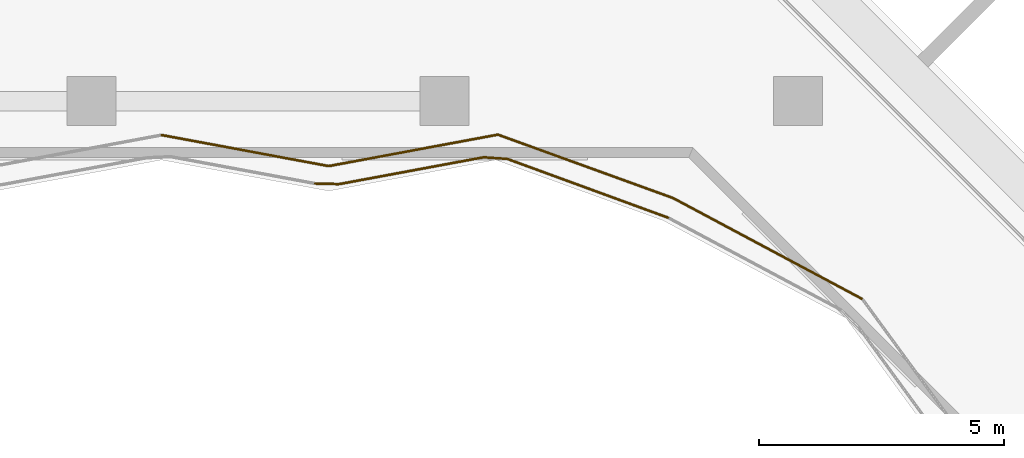
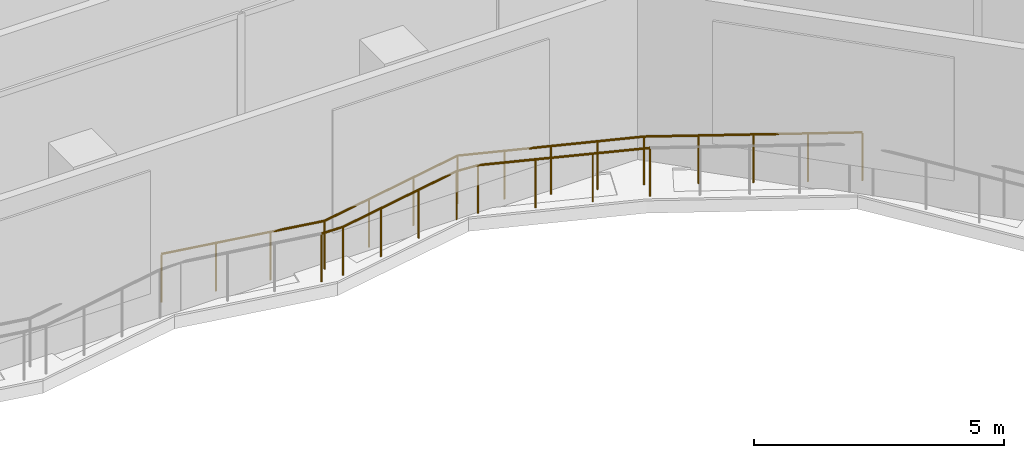
# One storey, part 17 of 23: 8 railings.
"""IFC4 building model written with IfcOpenShell, lengths in metres."""

from ifc_helpers import new_model, si_unit, direction, frame, origin, origin_2d, place, context, subcontext, project, spatial, circle, extrude, material, type_object, element, save


model = new_model("IFC4")

# Units and contexts
model_context = context("Model", 3, precision=1e-05, world=origin(), true_north=direction((0.0, 1.0)))
body_context = subcontext(model_context, "Body", "Model", "MODEL_VIEW")
ifc_project = project(units=[si_unit("LENGTHUNIT", "METRE"), si_unit("AREAUNIT", "SQUARE_METRE"), si_unit("VOLUMEUNIT", "CUBIC_METRE"), si_unit("PLANEANGLEUNIT", "RADIAN"), si_unit("MASSUNIT", "GRAM", prefix="KILO")], contexts=[model_context])

# Site, building, storey
site_placement = place(None, origin())
site = spatial("IfcSite", under=ifc_project, at=site_placement, CompositionType="ELEMENT")
building_placement = place(site_placement, origin())
building = spatial("IfcBuilding", under=site, at=building_placement, Name="Windrow Commons", CompositionType="ELEMENT")
storey_placement = place(building_placement, frame((0.0, 0.0, 122.0)))
storey = spatial("IfcBuildingStorey", under=building, at=storey_placement, Name="L33", CompositionType="ELEMENT", Elevation=122.0)

# Railings
ifc_material = material(Name="Stainless steel S316 balustrade with toughened glass infill", Category="steel")
railing_type = type_object("IfcRailingType", Name="Terrace guard 1200 podium", PredefinedType="BALUSTRADE", material=ifc_material)
railing_1_placement = place(storey_placement, frame((80.5145, 39.165, 0.05)))
element("IfcRailing", 1, at=railing_1_placement, inside=storey, type_object=railing_type, Name="Guard TR-L33-1.E3", PredefinedType="BALUSTRADE", context=body_context, shape_type="SweptSolid", body=[
    extrude(circle(Radius=0.025, at=origin_2d()), frame((0.0, 0.0, 1.175), z_axis=(-0.8822922124, 0.4707020841, 0.0), x_axis=(-0.4707020841, -0.8822922124, 0.0)), (0.0, 0.0, 1.0), 4.3764),
    extrude(circle(Radius=0.02, at=origin_2d()), origin(), (0.0, 0.0, 1.0), 1.15),
    extrude(circle(Radius=0.02, at=origin_2d()), frame((-0.9653, 0.515, 0.0)), (0.0, 0.0, 1.0), 1.15),
    extrude(circle(Radius=0.02, at=origin_2d()), frame((-1.9306, 1.03, 0.0)), (0.0, 0.0, 1.0), 1.15),
    extrude(circle(Radius=0.02, at=origin_2d()), frame((-2.896, 1.545, 0.0)), (0.0, 0.0, 1.0), 1.15),
    extrude(circle(Radius=0.02, at=origin_2d()), frame((-3.8613, 2.06, 0.0)), (0.0, 0.0, 1.0), 1.15),
])
railing_2_placement = place(storey_placement, frame((76.6532, 41.225, 0.05)))
element("IfcRailing", 2, at=railing_2_placement, inside=storey, type_object=railing_type, Name="Guard TR-L33-1.E4", PredefinedType="BALUSTRADE", context=body_context, shape_type="SweptSolid", body=[
    extrude(circle(Radius=0.025, at=origin_2d()), frame((0.0, 0.0, 1.175), z_axis=(-0.9402956655, 0.3403587248, 0.0), x_axis=(-0.3403587248, -0.9402956655, 0.0)), (0.0, 0.0, 1.0), 3.7942),
    extrude(circle(Radius=0.02, at=origin_2d()), origin(), (0.0, 0.0, 1.0), 1.15),
    extrude(circle(Radius=0.02, at=origin_2d()), frame((-0.8919, 0.3228, 0.0)), (0.0, 0.0, 1.0), 1.15),
    extrude(circle(Radius=0.02, at=origin_2d()), frame((-1.7839, 0.6457, 0.0)), (0.0, 0.0, 1.0), 1.15),
    extrude(circle(Radius=0.02, at=origin_2d()), frame((-2.6758, 0.9685, 0.0)), (0.0, 0.0, 1.0), 1.15),
    extrude(circle(Radius=0.02, at=origin_2d()), frame((-3.5677, 1.2914, 0.0)), (0.0, 0.0, 1.0), 1.15),
])
railing_3_placement = place(storey_placement, frame((73.0855, 42.5164, 0.05)))
element("IfcRailing", 3, at=railing_3_placement, inside=storey, type_object=railing_type, Name="Guard TR-L33-1.E5", PredefinedType="BALUSTRADE", context=body_context, shape_type="SweptSolid", body=[
    extrude(circle(Radius=0.025, at=origin_2d()), frame((0.0, 0.0, 1.175), z_axis=(-0.9831691345, -0.1826977095, 0.0), x_axis=(0.1826977095, -0.9831691345, 0.0)), (0.0, 0.0, 1.0), 3.5074),
    extrude(circle(Radius=0.02, at=origin_2d()), origin(), (0.0, 0.0, 1.0), 1.15),
    extrude(circle(Radius=0.02, at=origin_2d()), frame((-1.1495, -0.2136, 0.0)), (0.0, 0.0, 1.0), 1.15),
    extrude(circle(Radius=0.02, at=origin_2d()), frame((-2.2989, -0.4272, 0.0)), (0.0, 0.0, 1.0), 1.15),
    extrude(circle(Radius=0.02, at=origin_2d()), frame((-3.4484, -0.6408, 0.0)), (0.0, 0.0, 1.0), 1.15),
])
railing_4_placement = place(storey_placement, frame((69.6371, 41.8756, 0.05)))
element("IfcRailing", 4, at=railing_4_placement, inside=storey, type_object=railing_type, Name="Guard TR-L33-1.E6", PredefinedType="BALUSTRADE", context=body_context, shape_type="SweptSolid", body=[
    extrude(circle(Radius=0.025, at=origin_2d()), frame((0.0, 0.0, 1.175), z_axis=(-0.9831669658, 0.1827093798, 0.0), x_axis=(-0.1827093798, -0.9831669658, 0.0)), (0.0, 0.0, 1.0), 3.4645),
    extrude(circle(Radius=0.02, at=origin_2d()), origin(), (0.0, 0.0, 1.0), 1.15),
    extrude(circle(Radius=0.02, at=origin_2d()), frame((-1.1354, 0.211, 0.0)), (0.0, 0.0, 1.0), 1.15),
    extrude(circle(Radius=0.02, at=origin_2d()), frame((-2.2708, 0.422, 0.0)), (0.0, 0.0, 1.0), 1.15),
    extrude(circle(Radius=0.02, at=origin_2d()), frame((-3.4062, 0.633, 0.0)), (0.0, 0.0, 1.0), 1.15),
])
railing_5_placement = place(storey_placement, frame((76.5576, 40.8226, 0.05)))
element("IfcRailing", 5, at=railing_5_placement, inside=storey, type_object=railing_type, Name="Guard TR-L33-1.C64", PredefinedType="BALUSTRADE", context=body_context, shape_type="SweptSolid", body=[
    extrude(circle(Radius=0.025, at=origin_2d()), frame((0.0, 0.0, 1.175), z_axis=(-0.9392281998, 0.343293444, 0.0), x_axis=(-0.343293444, -0.9392281998, 0.0)), (0.0, 0.0, 1.0), 3.4947),
    extrude(circle(Radius=0.02, at=origin_2d()), origin(), (0.0, 0.0, 1.0), 1.15),
    extrude(circle(Radius=0.02, at=origin_2d()), frame((-1.0941, 0.3999, 0.0)), (0.0, 0.0, 1.0), 1.15),
    extrude(circle(Radius=0.02, at=origin_2d()), frame((-2.1882, 0.7998, 0.0)), (0.0, 0.0, 1.0), 1.15),
    extrude(circle(Radius=0.02, at=origin_2d()), frame((-3.2823, 1.1997, 0.0)), (0.0, 0.0, 1.0), 1.15),
])
railing_6_placement = place(storey_placement, frame((73.2753, 42.0223, 0.05)))
element("IfcRailing", 6, at=railing_6_placement, inside=storey, type_object=railing_type, Name="Guard TR-L33-1.C65", PredefinedType="BALUSTRADE", context=body_context, shape_type="SweptSolid", body=[
    extrude(circle(Radius=0.025, at=origin_2d()), frame((0.0, 0.0, 1.175), z_axis=(-0.9976234465, 0.0689018066, 0.0), x_axis=(-0.0689018066, -0.9976234465, 0.0)), (0.0, 0.0, 1.0), 0.4818),
    extrude(circle(Radius=0.02, at=origin_2d()), origin(), (0.0, 0.0, 1.0), 1.15),
    extrude(circle(Radius=0.02, at=origin_2d()), frame((-0.4807, 0.0332, 0.0)), (0.0, 0.0, 1.0), 1.15),
])
railing_7_placement = place(storey_placement, frame((72.7946, 42.0555, 0.05)))
element("IfcRailing", 7, at=railing_7_placement, inside=storey, type_object=railing_type, Name="Guard TR-L33-1.C66", PredefinedType="BALUSTRADE", context=body_context, shape_type="SweptSolid", body=[
    extrude(circle(Radius=0.025, at=origin_2d()), frame((0.0, 0.0, 1.175), z_axis=(-0.9831682721, -0.1827023499, 0.0), x_axis=(0.1827023499, -0.9831682721, 0.0)), (0.0, 0.0, 1.0), 2.9961),
    extrude(circle(Radius=0.02, at=origin_2d()), origin(), (0.0, 0.0, 1.0), 1.15),
    extrude(circle(Radius=0.02, at=origin_2d()), frame((-0.9819, -0.1825, 0.0)), (0.0, 0.0, 1.0), 1.15),
    extrude(circle(Radius=0.02, at=origin_2d()), frame((-1.9638, -0.3649, 0.0)), (0.0, 0.0, 1.0), 1.15),
    extrude(circle(Radius=0.02, at=origin_2d()), frame((-2.9457, -0.5474, 0.0)), (0.0, 0.0, 1.0), 1.15),
])
railing_8_placement = place(storey_placement, frame((69.8489, 41.5081, 0.05)))
element("IfcRailing", 8, at=railing_8_placement, inside=storey, type_object=railing_type, Name="Guard TR-L33-1.C67", PredefinedType="BALUSTRADE", context=body_context, shape_type="SweptSolid", body=[
    extrude(circle(Radius=0.025, at=origin_2d()), frame((0.0, 0.0, 1.175), z_axis=(-0.9996759643, 0.0254551834, 0.0), x_axis=(-0.0254551834, -0.9996759643, 0.0)), (0.0, 0.0, 1.0), 0.4911),
    extrude(circle(Radius=0.02, at=origin_2d()), origin(), (0.0, 0.0, 1.0), 1.15),
    extrude(circle(Radius=0.02, at=origin_2d()), frame((-0.4909, 0.0125, 0.0)), (0.0, 0.0, 1.0), 1.15),
])

save(model, "model.ifc")
